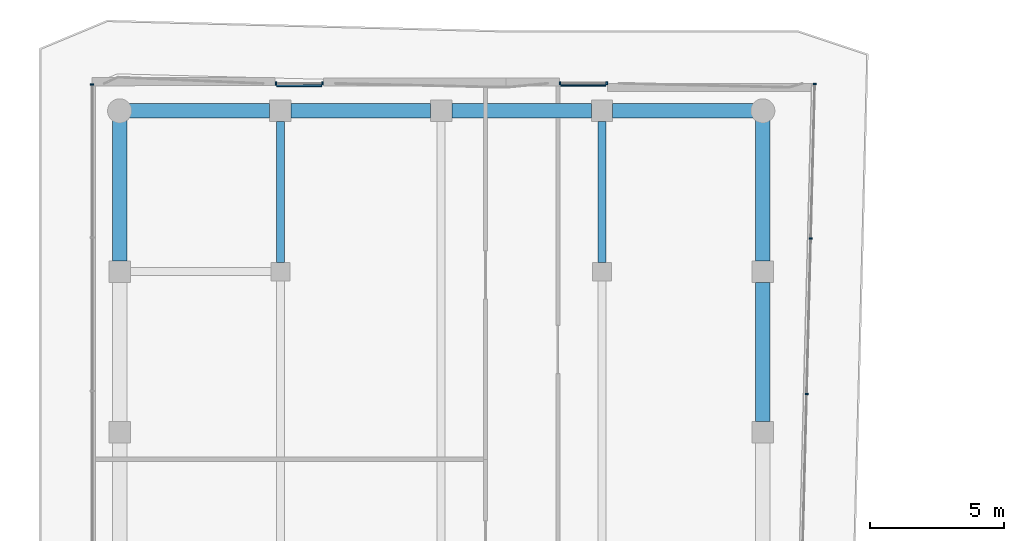
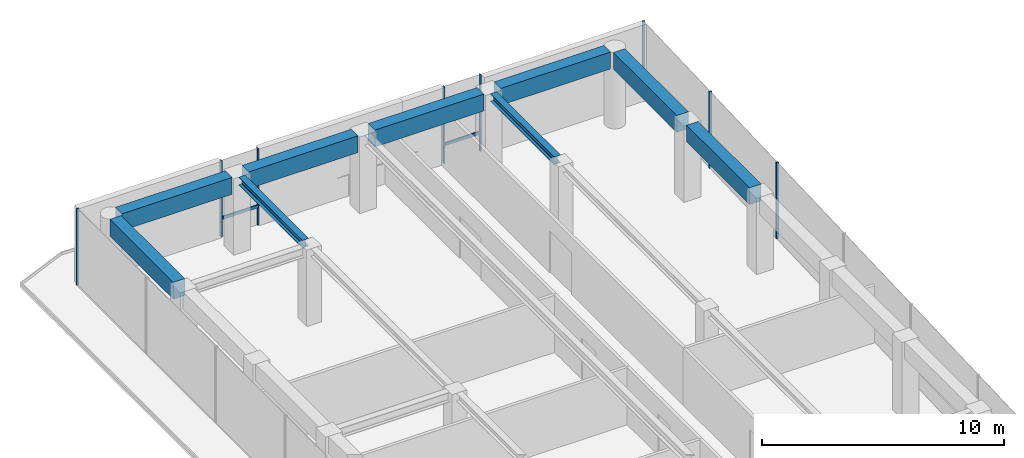
# One storey, part 13 of 19: 10 members, 9 beams, 4 elements without a shape of their own.
"""IFC4 building model written with IfcOpenShell, lengths in metres."""

from ifc_helpers import new_model, si_unit, direction, frame, origin, origin_2d, place, context, subcontext, project, spatial, rectangle, i_section, extrude, material, layer, layer_set, material_profile, profile_set, type_object, element, aggregate, save


model = new_model("IFC4")

# Units and contexts
model_context = context("Model", 3, precision=1e-05, world=origin(), true_north=direction((0.0, 1.0)))
body_context = subcontext(model_context, "Body", "Model", "MODEL_VIEW")
ifc_project = project(units=[si_unit("LENGTHUNIT", "METRE"), si_unit("AREAUNIT", "SQUARE_METRE"), si_unit("VOLUMEUNIT", "CUBIC_METRE"), si_unit("PLANEANGLEUNIT", "RADIAN"), si_unit("MASSUNIT", "GRAM", prefix="KILO")], contexts=[model_context])

# Site, building, storey
site_placement = place(None, origin())
site = spatial("IfcSite", under=ifc_project, at=site_placement, CompositionType="ELEMENT")
building_placement = place(site_placement, origin())
building = spatial("IfcBuilding", under=site, at=building_placement, Name="Welwitschia Terrace Campus", CompositionType="ELEMENT")
storey_placement = place(building_placement, frame((0.0, 0.0, 234.800048828125)))
storey = spatial("IfcBuildingStorey", under=building, at=storey_placement, Name="L52", CompositionType="ELEMENT", Elevation=234.800048828125)

# Beams
ifc_material_1 = material(Name="Steel S355", Category="steel")
ifc_material_profile_1 = material_profile(ifc_material_1, i_section(OverallWidth=0.300048828125, OverallDepth=0.389892578125, WebThickness=0.010986328125, FlangeThickness=0.01904296875, FilletRadius=0.027099609375, at=origin_2d()))
ifc_profile_set_1 = profile_set([ifc_material_profile_1], Name="Steel S355")
beam_type_1 = type_object("IfcBeamType", Name="Interior girder HE 400 A", PredefinedType="BEAM", material=ifc_profile_set_1)
for number, where, z_axis, x_axis, name in (
    (1, (6.0, 64.3505859375, 3.655029296875), (0.0, 1.0, 0.0), (-1.0, 0.0, 0.0), "Girder GB5"),
    (2, (18.0, 64.3505859375, 3.655029296875), (0.0, 1.0, 0.0), (-1.0, 0.0, 0.0), "Girder GB5"),
):
    element("IfcBeam", number, at=place(storey_placement, frame(where, z_axis=z_axis, x_axis=x_axis)), inside=storey, type_object=beam_type_1, Name=name, PredefinedType="BEAM", context=body_context, shape_type="SweptSolid", body=[
        extrude(i_section(OverallWidth=0.300048828125, OverallDepth=0.389892578125, WebThickness=0.010986328125, FlangeThickness=0.01904296875, FilletRadius=0.027099609375, at=origin_2d()), origin(), (0.0, 0.0, 1.0), 5.259033203125),
    ])

# Curtain wall, member
ifc_material_2 = material(Name="Bronze anodised aluminium", Category="aluminium")
ifc_layer = layer(ifc_material_2, 0.1201171875)
ifc_layer_set = layer_set([ifc_layer], Name="Bronze anodised aluminium")
curtain_wall_type = type_object("IfcCurtainWallType", Name="Curtain wall CW2 tower 6000", PredefinedType="NOTDEFINED", material=ifc_layer_set)
curtain_wall_1_placement = place(storey_placement, origin())
curtain_wall_1 = element("IfcCurtainWall", 3, at=curtain_wall_1_placement, inside=storey, type_object=curtain_wall_type, Name="CW L52.0.0", PredefinedType="NOTDEFINED")
ifc_material_3 = material(Name="Bronze anodised aluminium", Category="aluminium")
ifc_material_profile_2 = material_profile(ifc_material_3, rectangle(XDim=0.1201171875, YDim=0.06005859375, at=origin_2d()))
ifc_profile_set_2 = profile_set([ifc_material_profile_2], Name="Bronze anodised aluminium")
member_type_1 = type_object("IfcMemberType", Name="Mullion 60x120", PredefinedType="MULLION", material=ifc_profile_set_2)
member_1_placement = place(storey_placement, frame((-1.030029296875, 70.989990234375, 0.0), z_axis=(0.0, 0.0, 1.0), x_axis=(1.0, 0.0, 0.0)))
member_1 = element("IfcMember", 4, at=member_1_placement, type_object=member_type_1, Name="Mullion L52.0.0.0", PredefinedType="MULLION", context=body_context, shape_type="SweptSolid", body=[
    extrude(rectangle(XDim=0.1201171875, YDim=0.06005859375, at=origin_2d()), origin(), (0.0, 0.0, 1.0), 3.849853515625),
])
aggregate(curtain_wall_1, [member_1])

# Curtain wall, members
curtain_wall_2_placement = place(storey_placement, origin())
curtain_wall_2 = element("IfcCurtainWall", 5, at=curtain_wall_2_placement, inside=storey, type_object=curtain_wall_type, Name="CW L52.9.0", PredefinedType="NOTDEFINED")
member_2_placement = place(storey_placement, frame((25.63720703125, 59.4345703125, 0.0), z_axis=(0.0, 0.0, 1.0), x_axis=(-0.999657324976, 0.026176948308, 0.0)))
member_2 = element("IfcMember", 6, at=member_2_placement, type_object=member_type_1, Name="Mullion L52.9.0.4", PredefinedType="MULLION", context=body_context, shape_type="SweptSolid", body=[
    extrude(rectangle(XDim=0.1201171875, YDim=0.06005859375, at=origin_2d()), origin(), (0.0, 0.0, 1.0), 3.849853515625),
])
member_3_placement = place(storey_placement, frame((25.7890625, 65.232177734375, 0.0), z_axis=(0.0, 0.0, 1.0), x_axis=(-0.999657324976, 0.026176948308, 0.0)))
member_3 = element("IfcMember", 7, at=member_3_placement, type_object=member_type_1, Name="Mullion L52.9.0.5", PredefinedType="MULLION", context=body_context, shape_type="SweptSolid", body=[
    extrude(rectangle(XDim=0.1201171875, YDim=0.06005859375, at=origin_2d()), origin(), (0.0, 0.0, 1.0), 3.849853515625),
])
member_4_placement = place(storey_placement, frame((25.940185546875, 71.0, 0.0), z_axis=(0.0, 0.0, 1.0), x_axis=(-0.999657324976, 0.026176948308, 0.0)))
member_4 = element("IfcMember", 8, at=member_4_placement, type_object=member_type_1, Name="Mullion L52.9.0.6", PredefinedType="MULLION", context=body_context, shape_type="SweptSolid", body=[
    extrude(rectangle(XDim=0.1201171875, YDim=0.06005859375, at=origin_2d()), origin(), (0.0, 0.0, 1.0), 3.849853515625),
])
aggregate(curtain_wall_2, [member_2, member_3, member_4])

curtain_wall_3_placement = place(storey_placement, origin())
curtain_wall_3 = element("IfcCurtainWall", 9, at=curtain_wall_3_placement, inside=storey, type_object=curtain_wall_type, Name="CW L52.10.S0", PredefinedType="NOTDEFINED")
member_5_placement = place(storey_placement, frame((18.175048828125, 71.030029296875, 0.0), z_axis=(0.0, 0.0, 1.0), x_axis=(0.0, -1.0, 0.0)))
member_5 = element("IfcMember", 10, at=member_5_placement, type_object=member_type_1, Name="Mullion L52.10.S0.0", PredefinedType="MULLION", context=body_context, shape_type="SweptSolid", body=[
    extrude(rectangle(XDim=0.1201171875, YDim=0.06005859375, at=origin_2d()), origin(), (0.0, 0.0, 1.0), 3.849853515625),
])
member_6_placement = place(storey_placement, frame((16.43505859375, 71.030029296875, 0.0), z_axis=(0.0, 0.0, 1.0), x_axis=(0.0, -1.0, 0.0)))
member_6 = element("IfcMember", 11, at=member_6_placement, type_object=member_type_1, Name="Mullion L52.10.S0.1", PredefinedType="MULLION", context=body_context, shape_type="SweptSolid", body=[
    extrude(rectangle(XDim=0.1201171875, YDim=0.06005859375, at=origin_2d()), origin(), (0.0, 0.0, 1.0), 3.849853515625),
])

curtain_wall_4_placement = place(storey_placement, origin())
curtain_wall_4 = element("IfcCurtainWall", 12, at=curtain_wall_4_placement, inside=storey, type_object=curtain_wall_type, Name="CW L52.11.S0", PredefinedType="NOTDEFINED")
member_7_placement = place(storey_placement, frame((7.568359375, 71.025634765625, 0.0), z_axis=(0.0, 0.0, 1.0), x_axis=(0.000647547214, -0.999999790341, 0.0)))
member_7 = element("IfcMember", 13, at=member_7_placement, type_object=member_type_1, Name="Mullion L52.11.S0.0", PredefinedType="MULLION", context=body_context, shape_type="SweptSolid", body=[
    extrude(rectangle(XDim=0.1201171875, YDim=0.06005859375, at=origin_2d()), origin(), (0.0, 0.0, 1.0), 3.849853515625),
])
member_8_placement = place(storey_placement, frame((5.828125, 71.0244140625, 0.0), z_axis=(0.0, 0.0, 1.0), x_axis=(0.000647547214, -0.999999790341, 0.0)))
member_8 = element("IfcMember", 14, at=member_8_placement, type_object=member_type_1, Name="Mullion L52.11.S0.1", PredefinedType="MULLION", context=body_context, shape_type="SweptSolid", body=[
    extrude(rectangle(XDim=0.1201171875, YDim=0.06005859375, at=origin_2d()), origin(), (0.0, 0.0, 1.0), 3.849853515625),
])

# Beams
ifc_material_4 = material(Name="Concrete C50/60", Category="concrete")
ifc_material_profile_3 = material_profile(ifc_material_4, rectangle(XDim=0.550048828125, YDim=0.85009765625, at=origin_2d()))
ifc_profile_set_3 = profile_set([ifc_material_profile_3], Name="Concrete C50/60")
beam_type_2 = type_object("IfcBeamType", Name="Ring spandrel 550x850", PredefinedType="SPANDREL", material=ifc_profile_set_3)
beam_placement = place(storey_placement, frame((24.0, 58.400390625, 3.425048828125), z_axis=(0.0, 1.0, 0.0), x_axis=(-1.0, 0.0, 0.0)))
element("IfcBeam", 15, at=beam_placement, inside=storey, type_object=beam_type_2, Name="Spandrel SP3", PredefinedType="SPANDREL", context=body_context, shape_type="SweptSolid", body=[
    extrude(rectangle(XDim=0.550048828125, YDim=0.85009765625, at=origin_2d()), origin(), (0.0, 0.0, 1.0), 5.19921875),
])
for number, where, z_axis, x_axis, name in (
    (16, (24.0, 64.400390625, 3.425048828125), (0.0, 1.0, 0.0), (-1.0, 0.0, 0.0), "Spandrel SP3"),
    (17, (23.64306640625, 70.0, 3.425048828125), (-1.0, 0.0, 0.0), (0.0, -1.0, 0.0), "Spandrel SP3"),
):
    element("IfcBeam", number, at=place(storey_placement, frame(where, z_axis=z_axis, x_axis=x_axis)), inside=storey, type_object=beam_type_2, Name=name, PredefinedType="SPANDREL", context=body_context, shape_type="SweptSolid", body=[
        extrude(rectangle(XDim=0.550048828125, YDim=0.85009765625, at=origin_2d()), origin(), (0.0, 0.0, 1.0), 5.24267578125),
    ])
for number, where, z_axis, x_axis, name in (
    (18, (17.599609375, 70.0, 3.425048828125), (-1.0, 0.0, 0.0), (0.0, -1.0, 0.0), "Spandrel SP3"),
    (19, (11.599609375, 70.0, 3.425048828125), (-1.0, 0.0, 0.0), (0.0, -1.0, 0.0), "Spandrel SP3"),
):
    element("IfcBeam", number, at=place(storey_placement, frame(where, z_axis=z_axis, x_axis=x_axis)), inside=storey, type_object=beam_type_2, Name=name, PredefinedType="SPANDREL", context=body_context, shape_type="SweptSolid", body=[
        extrude(rectangle(XDim=0.550048828125, YDim=0.85009765625, at=origin_2d()), origin(), (0.0, 0.0, 1.0), 5.19921875),
    ])
for number, where, z_axis, x_axis, name in (
    (20, (5.599609375, 70.0, 3.425048828125), (-1.0, 0.0, 0.0), (0.0, -1.0, 0.0), "Spandrel SP3"),
    (21, (0.0, 69.64306640625, 3.425048828125), (0.0, -1.0, 0.0), (1.0, 0.0, 0.0), "Spandrel SP3"),
):
    element("IfcBeam", number, at=place(storey_placement, frame(where, z_axis=z_axis, x_axis=x_axis)), inside=storey, type_object=beam_type_2, Name=name, PredefinedType="SPANDREL", context=body_context, shape_type="SweptSolid", body=[
        extrude(rectangle(XDim=0.550048828125, YDim=0.85009765625, at=origin_2d()), origin(), (0.0, 0.0, 1.0), 5.24267578125),
    ])

# Member
ifc_material_5 = material(Name="Bronze anodised aluminium", Category="aluminium")
ifc_material_profile_4 = material_profile(ifc_material_5, rectangle(XDim=0.06005859375, YDim=0.14990234375, at=origin_2d()))
ifc_profile_set_4 = profile_set([ifc_material_profile_4], Name="Bronze anodised aluminium")
member_type_2 = type_object("IfcMemberType", Name="Transom 60x150", PredefinedType="USERDEFINED", material=ifc_profile_set_4)
member_9_placement = place(storey_placement, frame((18.14501953125, 70.93994140625, 1.0), z_axis=(-1.0, 0.0, 0.0), x_axis=(0.0, -1.0, 0.0)))
member_9 = element("IfcMember", 22, at=member_9_placement, type_object=member_type_2, Name="Transom L52.10.S0", ObjectType="TRANSOM", PredefinedType="USERDEFINED", context=body_context, shape_type="SweptSolid", body=[
    extrude(rectangle(XDim=0.06005859375, YDim=0.14990234375, at=origin_2d()), origin(), (0.0, 0.0, 1.0), 1.679931640625),
])

aggregate(curtain_wall_3, [member_5, member_6, member_9])

member_10_placement = place(storey_placement, frame((7.538330078125, 70.935546875, 1.0), z_axis=(-0.999999831039, -0.000581310758, 0.0), x_axis=(0.000581310758, -0.999999831039, 0.0)))
member_10 = element("IfcMember", 23, at=member_10_placement, type_object=member_type_2, Name="Transom L52.11.S0", ObjectType="TRANSOM", PredefinedType="USERDEFINED", context=body_context, shape_type="SweptSolid", body=[
    extrude(rectangle(XDim=0.06005859375, YDim=0.14990234375, at=origin_2d()), origin(), (0.0, 0.0, 1.0), 1.679931640625),
])

aggregate(curtain_wall_4, [member_7, member_8, member_10])

save(model, "model.ifc")
